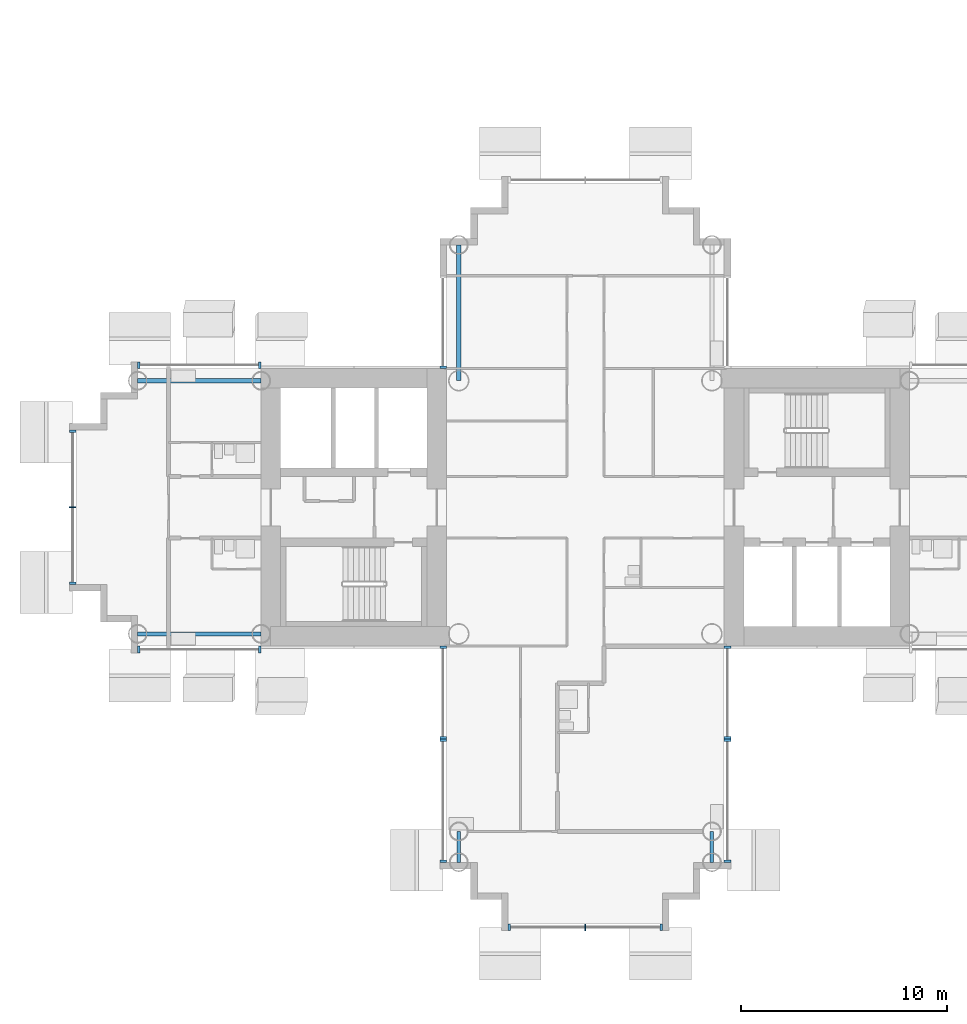
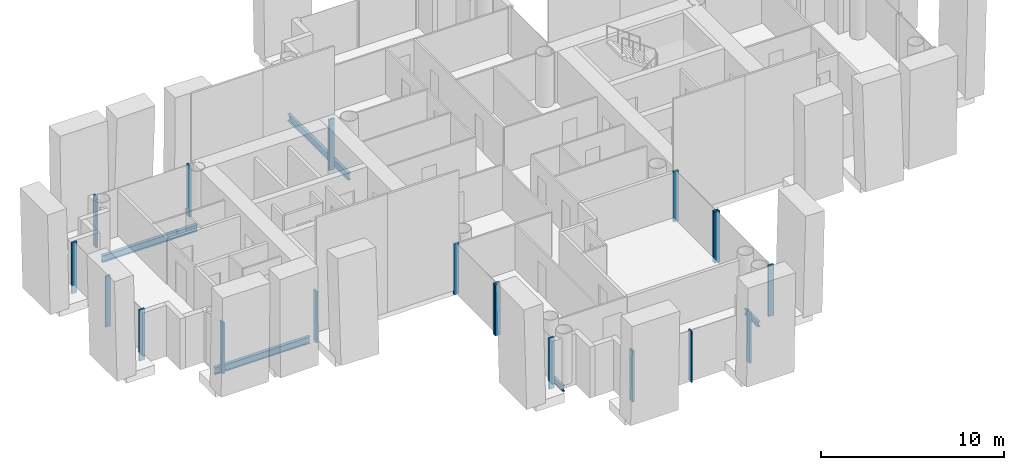
# One storey, part 3 of 20: 19 members, 5 beams, 9 elements without a shape of their own.
"""IFC4 building model written with IfcOpenShell, lengths in metres."""

from ifc_helpers import new_model, si_unit, direction, frame, origin, origin_2d, place, context, subcontext, project, spatial, rectangle, i_section, extrude, material, layer, layer_set, material_profile, profile_set, type_object, element, aggregate, save


model = new_model("IFC4")

# Units and contexts
model_context = context("Model", 3, precision=1e-05, world=origin(), true_north=direction((0.0, 1.0)))
body_context = subcontext(model_context, "Body", "Model", "MODEL_VIEW")
ifc_project = project(units=[si_unit("LENGTHUNIT", "METRE"), si_unit("AREAUNIT", "SQUARE_METRE"), si_unit("VOLUMEUNIT", "CUBIC_METRE"), si_unit("PLANEANGLEUNIT", "RADIAN"), si_unit("MASSUNIT", "GRAM", prefix="KILO")], contexts=[model_context])

# Site, building, storey
site_placement = place(None, origin())
site = spatial("IfcSite", under=ifc_project, at=site_placement, CompositionType="ELEMENT")
building_placement = place(site_placement, origin())
building = spatial("IfcBuilding", under=site, at=building_placement, Name="Ipe Terrace Towers", CompositionType="ELEMENT")
storey_placement = place(building_placement, frame((0.0, 0.0, 120.800048828125)))
storey = spatial("IfcBuildingStorey", under=building, at=storey_placement, Name="L33", CompositionType="ELEMENT", Elevation=120.800048828125)

# Beams
ifc_material_1 = material(Name="Steel S355", Category="steel")
ifc_material_profile_1 = material_profile(ifc_material_1, i_section(OverallWidth=0.175048828125, OverallDepth=0.35009765625, WebThickness=0.007080078125, FlangeThickness=0.010986328125, at=origin_2d()), Name="H-350x175x7x11")
ifc_profile_set_1 = profile_set([ifc_material_profile_1], Name="Steel S355")
beam_type_1 = type_object("IfcBeamType", Name="H04 EDGE BEAM H-350x175x7x11", PredefinedType="BEAM", material=ifc_profile_set_1)
for number, where, z_axis, x_axis, name in (
    (1, (-42.14990234375, -15.75, -0.574951171875), (0.0, -1.0, 0.0), (1.0, 0.0, 0.0), "Edge beam T1-EB-D03-D05"),
    (2, (-29.85009765625, -15.75, -0.574951171875), (0.0, -1.0, 0.0), (1.0, 0.0, 0.0), "Edge beam T1-EB-D04-D06"),
):
    element("IfcBeam", number, at=place(storey_placement, frame(where, z_axis=z_axis, x_axis=x_axis)), inside=storey, type_object=beam_type_1, Name=name, PredefinedType="BEAM", context=body_context, shape_type="SweptSolid", body=[
        extrude(i_section(OverallWidth=0.175048828125, OverallDepth=0.35009765625, WebThickness=0.007080078125, FlangeThickness=0.010986328125, at=origin_2d()), origin(), (0.0, 0.0, 1.0), 1.5),
    ])
ifc_material_2 = material(Name="Steel S355", Category="steel")
ifc_material_profile_2 = material_profile(ifc_material_2, i_section(OverallWidth=0.199951171875, OverallDepth=0.449951171875, WebThickness=0.009033203125, FlangeThickness=0.013916015625, at=origin_2d()), Name="H-450x200x9x14")
ifc_profile_set_2 = profile_set([ifc_material_profile_2], Name="Steel S355")
beam_type_2 = type_object("IfcBeamType", Name="H08 EDGE BEAM H-450x200x9x14", PredefinedType="BEAM", material=ifc_profile_set_2)
beam_placement = place(storey_placement, frame((-42.14990234375, 12.75, -0.625), z_axis=(0.0, -1.0, 0.0), x_axis=(1.0, 0.0, 0.0)))
element("IfcBeam", 3, at=beam_placement, inside=storey, type_object=beam_type_2, Name="Edge beam T1-EB-B02-E04", PredefinedType="BEAM", context=body_context, shape_type="SweptSolid", body=[
    extrude(i_section(OverallWidth=0.199951171875, OverallDepth=0.449951171875, WebThickness=0.009033203125, FlangeThickness=0.013916015625, at=origin_2d()), origin(), (0.0, 0.0, 1.0), 6.60009765625),
])
for number, where, z_axis, x_axis, name in (
    (4, (-51.75, -6.14990234375, -0.625), (-1.0, 0.0, 0.0), (0.0, -1.0, 0.0), "Edge beam T1-EB-C01-C03"),
    (5, (-51.75, 6.14990234375, -0.625), (-1.0, 0.0, 0.0), (0.0, -1.0, 0.0), "Edge beam T1-EB-C02-C04"),
):
    element("IfcBeam", number, at=place(storey_placement, frame(where, z_axis=z_axis, x_axis=x_axis)), inside=storey, type_object=beam_type_2, Name=name, PredefinedType="BEAM", context=body_context, shape_type="SweptSolid", body=[
        extrude(i_section(OverallWidth=0.199951171875, OverallDepth=0.449951171875, WebThickness=0.009033203125, FlangeThickness=0.013916015625, at=origin_2d()), origin(), (0.0, 0.0, 1.0), 6.0),
    ])

# Curtain wall, members
ifc_material_3 = material(Name="Aluminium alloy 6063-T6", Category="aluminium")
ifc_layer = layer(ifc_material_3, 0.320068359375)
ifc_layer_set = layer_set([ifc_layer], Name="TOWER UNITISED CURTAIN WALL")
curtain_wall_type = type_object("IfcCurtainWallType", Name="TOWER UNITISED CURTAIN WALL", PredefinedType="NOTDEFINED", material=ifc_layer_set)
curtain_wall_1_placement = place(storey_placement, origin())
curtain_wall_1 = element("IfcCurtainWall", 6, at=curtain_wall_1_placement, inside=storey, type_object=curtain_wall_type, Name="T1-CW-L33-04a curtain wall", PredefinedType="NOTDEFINED")
ifc_material_4 = material(Name="Aluminium alloy 6063-T6", Category="aluminium")
ifc_material_profile_3 = material_profile(ifc_material_4, rectangle(XDim=0.320068359375, YDim=0.1201171875, at=origin_2d()), Name="TOWER UNITISED CORNER MULLION 320 x 120")
ifc_profile_set_3 = profile_set([ifc_material_profile_3], Name="Aluminium alloy 6063-T6")
member_type_1 = type_object("IfcMemberType", Name="TOWER UNITISED CORNER MULLION 320 x 120", PredefinedType="MULLION", material=ifc_profile_set_3)
member_1_placement = place(storey_placement, frame((-57.68994140625, -6.909912109375, -0.300048828125), z_axis=(0.0, 0.0, 1.0), x_axis=(0.0, -1.0, 0.0)))
member_1 = element("IfcMember", 7, at=member_1_placement, type_object=member_type_1, Name="T1-CW-L33-04a mullion 1", PredefinedType="MULLION", context=body_context, shape_type="SweptSolid", body=[
    extrude(rectangle(XDim=0.320068359375, YDim=0.1201171875, at=origin_2d()), origin(), (0.0, 0.0, 1.0), 3.39990234375),
])
member_2_placement = place(storey_placement, frame((-51.81103515625, -6.909912109375, -0.300048828125), z_axis=(0.0, 0.0, 1.0), x_axis=(0.0, -1.0, 0.0)))
member_2 = element("IfcMember", 8, at=member_2_placement, type_object=member_type_1, Name="T1-CW-L33-04a mullion 2", PredefinedType="MULLION", context=body_context, shape_type="SweptSolid", body=[
    extrude(rectangle(XDim=0.320068359375, YDim=0.1201171875, at=origin_2d()), origin(), (0.0, 0.0, 1.0), 3.39990234375),
])
aggregate(curtain_wall_1, [member_1, member_2])

curtain_wall_2_placement = place(storey_placement, origin())
curtain_wall_2 = element("IfcCurtainWall", 9, at=curtain_wall_2_placement, inside=storey, type_object=curtain_wall_type, Name="T1-CW-L33-06a curtain wall", PredefinedType="NOTDEFINED")
member_3_placement = place(storey_placement, frame((-42.909912109375, -6.81005859375, -0.300048828125), z_axis=(0.0, 0.0, 1.0), x_axis=(-1.0, 0.0, 0.0)))
member_3 = element("IfcMember", 10, at=member_3_placement, type_object=member_type_1, Name="T1-CW-L33-06a mullion 1", PredefinedType="MULLION", context=body_context, shape_type="SweptSolid", body=[
    extrude(rectangle(XDim=0.320068359375, YDim=0.1201171875, at=origin_2d()), origin(), (0.0, 0.0, 1.0), 3.39990234375),
])
member_4_placement = place(storey_placement, frame((-42.909912109375, -11.18994140625, -0.300048828125), z_axis=(0.0, 0.0, 1.0), x_axis=(-1.0, 0.0, 0.0)))
member_4 = element("IfcMember", 11, at=member_4_placement, type_object=member_type_1, Name="T1-CW-L33-06a mullion 2", PredefinedType="MULLION", context=body_context, shape_type="SweptSolid", body=[
    extrude(rectangle(XDim=0.320068359375, YDim=0.1201171875, at=origin_2d()), origin(), (0.0, 0.0, 1.0), 3.39990234375),
])
aggregate(curtain_wall_2, [member_3, member_4])

curtain_wall_3_placement = place(storey_placement, origin())
curtain_wall_3 = element("IfcCurtainWall", 12, at=curtain_wall_3_placement, inside=storey, type_object=curtain_wall_type, Name="T1-CW-L33-07a curtain wall", PredefinedType="NOTDEFINED")
member_5_placement = place(storey_placement, frame((-42.909912109375, -11.31005859375, -0.300048828125), z_axis=(0.0, 0.0, 1.0), x_axis=(-1.0, 0.0, 0.0)))
member_5 = element("IfcMember", 13, at=member_5_placement, type_object=member_type_1, Name="T1-CW-L33-07a mullion 1", PredefinedType="MULLION", context=body_context, shape_type="SweptSolid", body=[
    extrude(rectangle(XDim=0.320068359375, YDim=0.1201171875, at=origin_2d()), origin(), (0.0, 0.0, 1.0), 3.39990234375),
])
member_6_placement = place(storey_placement, frame((-42.909912109375, -17.18994140625, -0.300048828125), z_axis=(0.0, 0.0, 1.0), x_axis=(-1.0, 0.0, 0.0)))
member_6 = element("IfcMember", 14, at=member_6_placement, type_object=member_type_1, Name="T1-CW-L33-07a mullion 2", PredefinedType="MULLION", context=body_context, shape_type="SweptSolid", body=[
    extrude(rectangle(XDim=0.320068359375, YDim=0.1201171875, at=origin_2d()), origin(), (0.0, 0.0, 1.0), 3.39990234375),
])
aggregate(curtain_wall_3, [member_5, member_6])

curtain_wall_4_placement = place(storey_placement, origin())
curtain_wall_4 = element("IfcCurtainWall", 15, at=curtain_wall_4_placement, inside=storey, type_object=curtain_wall_type, Name="T1-CW-L33-12a curtain wall", PredefinedType="NOTDEFINED")
member_7_placement = place(storey_placement, frame((-39.68994140625, -20.409912109375, -0.300048828125), z_axis=(0.0, 0.0, 1.0), x_axis=(0.0, -1.0, 0.0)))
member_7 = element("IfcMember", 16, at=member_7_placement, type_object=member_type_1, Name="T1-CW-L33-12a mullion 1", PredefinedType="MULLION", context=body_context, shape_type="SweptSolid", body=[
    extrude(rectangle(XDim=0.320068359375, YDim=0.1201171875, at=origin_2d()), origin(), (0.0, 0.0, 1.0), 3.39990234375),
])
member_8_placement = place(storey_placement, frame((-32.31005859375, -20.409912109375, -0.300048828125), z_axis=(0.0, 0.0, 1.0), x_axis=(0.0, -1.0, 0.0)))
member_8 = element("IfcMember", 17, at=member_8_placement, type_object=member_type_1, Name="T1-CW-L33-12a mullion 3", PredefinedType="MULLION", context=body_context, shape_type="SweptSolid", body=[
    extrude(rectangle(XDim=0.320068359375, YDim=0.1201171875, at=origin_2d()), origin(), (0.0, 0.0, 1.0), 3.39990234375),
])

curtain_wall_5_placement = place(storey_placement, origin())
curtain_wall_5 = element("IfcCurtainWall", 18, at=curtain_wall_5_placement, inside=storey, type_object=curtain_wall_type, Name="T1-CW-L33-17a curtain wall", PredefinedType="NOTDEFINED")
member_9_placement = place(storey_placement, frame((-29.090087890625, -17.18994140625, -0.300048828125), z_axis=(0.0, 0.0, 1.0), x_axis=(1.0, 0.0, 0.0)))
member_9 = element("IfcMember", 19, at=member_9_placement, type_object=member_type_1, Name="T1-CW-L33-17a mullion 1", PredefinedType="MULLION", context=body_context, shape_type="SweptSolid", body=[
    extrude(rectangle(XDim=0.320068359375, YDim=0.1201171875, at=origin_2d()), origin(), (0.0, 0.0, 1.0), 3.39990234375),
])
member_10_placement = place(storey_placement, frame((-29.090087890625, -11.31005859375, -0.300048828125), z_axis=(0.0, 0.0, 1.0), x_axis=(1.0, 0.0, 0.0)))
member_10 = element("IfcMember", 20, at=member_10_placement, type_object=member_type_1, Name="T1-CW-L33-17a mullion 2", PredefinedType="MULLION", context=body_context, shape_type="SweptSolid", body=[
    extrude(rectangle(XDim=0.320068359375, YDim=0.1201171875, at=origin_2d()), origin(), (0.0, 0.0, 1.0), 3.39990234375),
])
aggregate(curtain_wall_5, [member_9, member_10])

curtain_wall_6_placement = place(storey_placement, origin())
curtain_wall_6 = element("IfcCurtainWall", 21, at=curtain_wall_6_placement, inside=storey, type_object=curtain_wall_type, Name="T1-CW-L33-18a curtain wall", PredefinedType="NOTDEFINED")
member_11_placement = place(storey_placement, frame((-29.090087890625, -11.18994140625, -0.300048828125), z_axis=(0.0, 0.0, 1.0), x_axis=(1.0, 0.0, 0.0)))
member_11 = element("IfcMember", 22, at=member_11_placement, type_object=member_type_1, Name="T1-CW-L33-18a mullion 1", PredefinedType="MULLION", context=body_context, shape_type="SweptSolid", body=[
    extrude(rectangle(XDim=0.320068359375, YDim=0.1201171875, at=origin_2d()), origin(), (0.0, 0.0, 1.0), 3.39990234375),
])
member_12_placement = place(storey_placement, frame((-29.090087890625, -6.81005859375, -0.300048828125), z_axis=(0.0, 0.0, 1.0), x_axis=(1.0, 0.0, 0.0)))
member_12 = element("IfcMember", 23, at=member_12_placement, type_object=member_type_1, Name="T1-CW-L33-18a mullion 2", PredefinedType="MULLION", context=body_context, shape_type="SweptSolid", body=[
    extrude(rectangle(XDim=0.320068359375, YDim=0.1201171875, at=origin_2d()), origin(), (0.0, 0.0, 1.0), 3.39990234375),
])
aggregate(curtain_wall_6, [member_11, member_12])

# Curtain wall, member
curtain_wall_7_placement = place(storey_placement, origin())
curtain_wall_7 = element("IfcCurtainWall", 24, at=curtain_wall_7_placement, inside=storey, type_object=curtain_wall_type, Name="T1-CW-L33-44a curtain wall", PredefinedType="NOTDEFINED")
member_13_placement = place(storey_placement, frame((-42.909912109375, 6.81005859375, -0.300048828125), z_axis=(0.0, 0.0, 1.0), x_axis=(-1.0, 0.0, 0.0)))
member_13 = element("IfcMember", 25, at=member_13_placement, type_object=member_type_1, Name="T1-CW-L33-44a mullion 2", PredefinedType="MULLION", context=body_context, shape_type="SweptSolid", body=[
    extrude(rectangle(XDim=0.320068359375, YDim=0.1201171875, at=origin_2d()), origin(), (0.0, 0.0, 1.0), 3.39990234375),
])
aggregate(curtain_wall_7, [member_13])

# Curtain wall, members
curtain_wall_8_placement = place(storey_placement, origin())
curtain_wall_8 = element("IfcCurtainWall", 26, at=curtain_wall_8_placement, inside=storey, type_object=curtain_wall_type, Name="T1-CW-L33-46b curtain wall", PredefinedType="NOTDEFINED")
member_14_placement = place(storey_placement, frame((-51.81103515625, 6.909912109375, -0.300048828125), z_axis=(0.0, 0.0, 1.0), x_axis=(0.0, 1.0, 0.0)))
member_14 = element("IfcMember", 27, at=member_14_placement, type_object=member_type_1, Name="T1-CW-L33-46b mullion 1", PredefinedType="MULLION", context=body_context, shape_type="SweptSolid", body=[
    extrude(rectangle(XDim=0.320068359375, YDim=0.1201171875, at=origin_2d()), origin(), (0.0, 0.0, 1.0), 3.39990234375),
])
member_15_placement = place(storey_placement, frame((-57.68994140625, 6.909912109375, -0.300048828125), z_axis=(0.0, 0.0, 1.0), x_axis=(0.0, 1.0, 0.0)))
member_15 = element("IfcMember", 28, at=member_15_placement, type_object=member_type_1, Name="T1-CW-L33-46b mullion 2", PredefinedType="MULLION", context=body_context, shape_type="SweptSolid", body=[
    extrude(rectangle(XDim=0.320068359375, YDim=0.1201171875, at=origin_2d()), origin(), (0.0, 0.0, 1.0), 3.39990234375),
])
aggregate(curtain_wall_8, [member_14, member_15])

curtain_wall_9_placement = place(storey_placement, origin())
curtain_wall_9 = element("IfcCurtainWall", 29, at=curtain_wall_9_placement, inside=storey, type_object=curtain_wall_type, Name="T1-CW-L33-51a curtain wall", PredefinedType="NOTDEFINED")
member_16_placement = place(storey_placement, frame((-60.909912109375, 3.68994140625, -0.300048828125), z_axis=(0.0, 0.0, 1.0), x_axis=(-1.0, 0.0, 0.0)))
member_16 = element("IfcMember", 30, at=member_16_placement, type_object=member_type_1, Name="T1-CW-L33-51a mullion 1", PredefinedType="MULLION", context=body_context, shape_type="SweptSolid", body=[
    extrude(rectangle(XDim=0.320068359375, YDim=0.1201171875, at=origin_2d()), origin(), (0.0, 0.0, 1.0), 3.39990234375),
])
member_17_placement = place(storey_placement, frame((-60.909912109375, -3.68994140625, -0.300048828125), z_axis=(0.0, 0.0, 1.0), x_axis=(-1.0, 0.0, 0.0)))
member_17 = element("IfcMember", 31, at=member_17_placement, type_object=member_type_1, Name="T1-CW-L33-51a mullion 3", PredefinedType="MULLION", context=body_context, shape_type="SweptSolid", body=[
    extrude(rectangle(XDim=0.320068359375, YDim=0.1201171875, at=origin_2d()), origin(), (0.0, 0.0, 1.0), 3.39990234375),
])

# Member
ifc_material_5 = material(Name="Aluminium alloy 6063-T6", Category="aluminium")
ifc_material_profile_4 = material_profile(ifc_material_5, rectangle(XDim=0.320068359375, YDim=0.06494140625, at=origin_2d()), Name="TOWER UNITISED MULLION 320 x 65")
ifc_profile_set_4 = profile_set([ifc_material_profile_4], Name="Aluminium alloy 6063-T6")
member_type_2 = type_object("IfcMemberType", Name="TOWER UNITISED MULLION 320 x 65", PredefinedType="MULLION", material=ifc_profile_set_4)
member_18_placement = place(storey_placement, frame((-36.0, -20.409912109375, -0.300048828125), z_axis=(0.0, 0.0, 1.0), x_axis=(0.0, -1.0, 0.0)))
member_18 = element("IfcMember", 32, at=member_18_placement, type_object=member_type_2, Name="T1-CW-L33-12a mullion 2", PredefinedType="MULLION", context=body_context, shape_type="SweptSolid", body=[
    extrude(rectangle(XDim=0.320068359375, YDim=0.06494140625, at=origin_2d()), origin(), (0.0, 0.0, 1.0), 3.39990234375),
])

aggregate(curtain_wall_4, [member_7, member_18, member_8])

member_19_placement = place(storey_placement, frame((-60.909912109375, 0.0, -0.300048828125), z_axis=(0.0, 0.0, 1.0), x_axis=(-1.0, 0.0, 0.0)))
member_19 = element("IfcMember", 33, at=member_19_placement, type_object=member_type_2, Name="T1-CW-L33-51a mullion 2", PredefinedType="MULLION", context=body_context, shape_type="SweptSolid", body=[
    extrude(rectangle(XDim=0.320068359375, YDim=0.06494140625, at=origin_2d()), origin(), (0.0, 0.0, 1.0), 3.39990234375),
])

aggregate(curtain_wall_9, [member_16, member_19, member_17])

save(model, "model.ifc")
